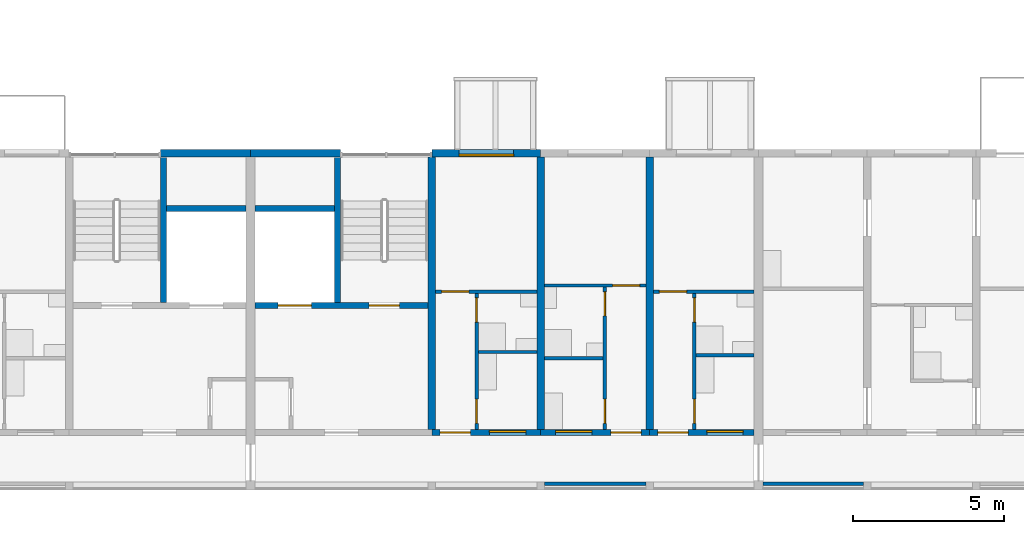
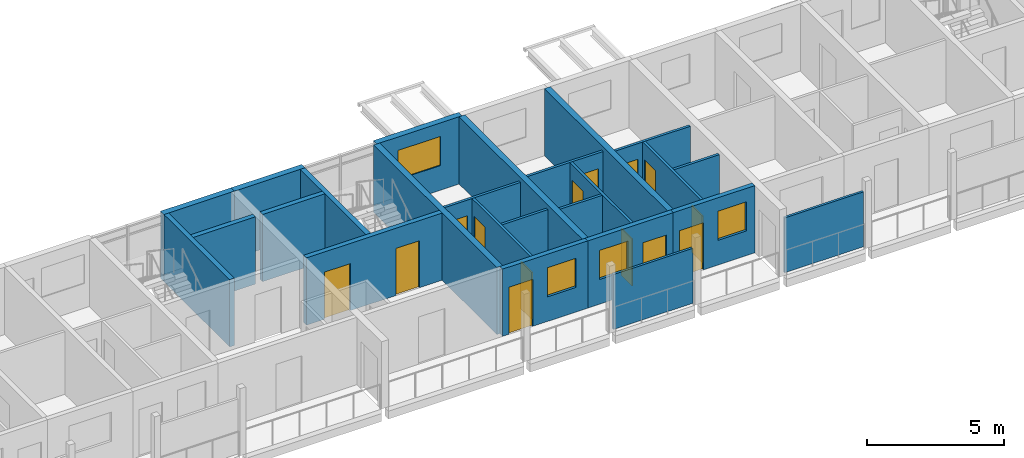
# One storey, part 47 of 98: 25 walls, 14 doors, 4 windows, 18 openings.
"""IFC4 building model written with IfcOpenShell, lengths in metres."""

from ifc_helpers import new_model, si_unit, direction, frame, frame_2d, origin, place, context, subcontext, project, spatial, rectangle, extrude, material, layer, layer_set, type_object, element, fill, save


model = new_model("IFC4")

# Units and contexts
model_context = context("Model", 3, precision=1e-05, world=origin(), true_north=direction((0.0, 1.0)))
body_context = subcontext(model_context, "Body", "Model", "MODEL_VIEW")
ifc_project = project(units=[si_unit("LENGTHUNIT", "METRE"), si_unit("AREAUNIT", "SQUARE_METRE"), si_unit("VOLUMEUNIT", "CUBIC_METRE"), si_unit("PLANEANGLEUNIT", "RADIAN"), si_unit("MASSUNIT", "GRAM", prefix="KILO")], contexts=[model_context])

# Site, building, storey
site_placement = place(None, origin())
site = spatial("IfcSite", under=ifc_project, at=site_placement, CompositionType="ELEMENT")
building_placement = place(site_placement, origin())
building = spatial("IfcBuilding", under=site, at=building_placement, Name="Ridgestep Commons", CompositionType="ELEMENT")
storey_placement = place(building_placement, frame((0.0, 0.0, 12.0)))
storey = spatial("IfcBuildingStorey", under=building, at=storey_placement, Name="L04", CompositionType="ELEMENT", Elevation=12.0)

# Walls
ifc_material_1 = material(Name="Concrete C30/37", Category="concrete")
ifc_layer_1 = layer(ifc_material_1, 0.25)
ifc_layer_set_1 = layer_set([ifc_layer_1], Name="Core cross wall 250")
wall_type_1 = type_object("IfcWallType", Name="Core cross wall 250", PredefinedType="SHEAR", material=ifc_layer_set_1)
wall_1_placement = place(storey_placement, frame((169.60009765625, 13.75, 0.0), z_axis=(0.0, 0.0, 1.0), x_axis=(0.0, 1.0, 0.0)))
element("IfcWall", 1, at=wall_1_placement, inside=storey, type_object=wall_type_1, Name="Cross wall D-04-1696", PredefinedType="SHEAR", context=body_context, shape_type="SweptSolid", body=[
    extrude(rectangle(XDim=9.0, YDim=0.25, at=frame_2d((4.5, 0.0))), origin(), (0.0, 0.0, 1.0), 3.0),
])
ifc_material_2 = material(Name="Concrete C30/37", Category="concrete")
ifc_layer_2 = layer(ifc_material_2, 0.199951171875)
ifc_layer_set_2 = layer_set([ifc_layer_2], Name="Core wall 200")
wall_type_2 = type_object("IfcWallType", Name="Core wall 200", PredefinedType="SHEAR", material=ifc_layer_set_2)
wall_2_placement = place(storey_placement, frame((160.72509765625, 17.949951171875, 0.0), z_axis=(0.0, 0.0, 1.0), x_axis=(0.0, 1.0, 0.0)))
element("IfcWall", 2, at=wall_2_placement, inside=storey, type_object=wall_type_2, Name="Core stair wall D1C L04", PredefinedType="SHEAR", context=body_context, shape_type="SweptSolid", body=[
    extrude(rectangle(XDim=4.800048828125, YDim=0.199951171875, at=frame_2d((2.39990234375, 0.0))), origin(), (0.0, 0.0, 1.0), 3.0),
])
wall_3_placement = place(storey_placement, frame((160.824951171875, 21.050048828125, 0.0), z_axis=(0.0, 0.0, 1.0), x_axis=(1.0, 0.0, 0.0)))
element("IfcWall", 3, at=wall_3_placement, inside=storey, type_object=wall_type_2, Name="Core duct wall D1C L04", PredefinedType="SHEAR", context=body_context, shape_type="SweptSolid", body=[
    extrude(rectangle(XDim=2.625, YDim=0.199951171875, at=frame_2d((1.3125, 0.0))), origin(), (0.0, 0.0, 1.0), 3.0),
])

# Wall, openings, doors
wall_4_placement = place(storey_placement, frame((163.75, 17.85009765625, 0.0), z_axis=(0.0, 0.0, 1.0), x_axis=(1.0, 0.0, 0.0)))
wall_4 = element("IfcWall", 4, at=wall_4_placement, inside=storey, type_object=wall_type_2, Name="Core lobby wall D2C L04", PredefinedType="SHEAR", context=body_context, shape_type="SweptSolid", body=[
    extrude(rectangle(XDim=5.72509765625, YDim=0.199951171875, at=frame_2d((2.862548828125, 0.0))), origin(), (0.0, 0.0, 1.0), 3.0),
])
opening_1_placement = place(wall_4_placement, frame((3.77490234375, 0.0, 0.0)))
opening_1 = element("IfcOpeningElement", 5, at=opening_1_placement, cuts=wall_4, Name="Opening D2C/04/2", PredefinedType="OPENING", context=body_context, shape_type="SweptSolid", body=[
    extrude(rectangle(XDim=1.0, YDim=2.10009765625, at=frame_2d((0.5, 1.050048828125))), frame((0.0, 0.10986328125, 0.0), z_axis=(0.0, -1.0, 0.0), x_axis=(1.0, 0.0, 0.0)), (0.0, 0.0, 1.0), 0.219970703125),
])
opening_2_placement = place(wall_4_placement, frame((0.762451171875, 0.0, 0.0)))
opening_2 = element("IfcOpeningElement", 6, at=opening_2_placement, cuts=wall_4, Name="Opening D2C/04/3", PredefinedType="OPENING", context=body_context, shape_type="SweptSolid", body=[
    extrude(rectangle(XDim=1.10009765625, YDim=2.10009765625, at=frame_2d((0.550048828125, 1.050048828125))), frame((0.0, 0.10986328125, 0.0), z_axis=(0.0, -1.0, 0.0), x_axis=(1.0, 0.0, 0.0)), (0.0, 0.0, 1.0), 0.219970703125),
])
ifc_material_3 = material(Name="Stainless steel", Category="steel")
door_type_1 = type_object("IfcDoorType", Name="Lift landing door 1100 x 2100 FD60", OperationType="DOUBLE_DOOR_SLIDING", PredefinedType="DOOR", material=ifc_material_3)
door_1_placement = place(opening_2_placement, origin())
door_1 = element("IfcDoor", 7, at=door_1_placement, inside=storey, type_object=door_type_1, Name="Landing door LD D2C L04", OperationType="DOUBLE_DOOR_SLIDING", OverallHeight=2.10009765625, OverallWidth=1.10009765625, PredefinedType="DOOR", context=body_context, shape_type="SweptSolid", body=[
    extrude(rectangle(XDim=1.10009765625, YDim=2.10009765625, at=frame_2d((0.550048828125, 1.050048828125))), frame((0.0, 0.02490234375, 0.0), z_axis=(0.0, -1.0, 0.0), x_axis=(1.0, 0.0, 0.0)), (0.0, 0.0, 1.0), 0.050048828125),
])
fill(opening_2, door_1)
ifc_material_4 = material(Name="Steel fire door", Category="steel")
door_type_2 = type_object("IfcDoorType", Name="Stair door 1000 x 2100 FD60", OperationType="NOTDEFINED", PredefinedType="DOOR", material=ifc_material_4)
door_2_placement = place(opening_1_placement, origin())
door_2 = element("IfcDoor", 8, at=door_2_placement, inside=storey, type_object=door_type_2, Name="Stair door D2C/04/2", OperationType="SINGLE_SWING_RIGHT", OverallHeight=2.10009765625, OverallWidth=1.0, PredefinedType="DOOR", context=body_context, shape_type="SweptSolid", body=[
    extrude(rectangle(XDim=1.0, YDim=2.10009765625, at=frame_2d((0.5, 1.050048828125))), frame((0.0, 0.02490234375, 0.0), z_axis=(0.0, -1.0, 0.0), x_axis=(1.0, 0.0, 0.0)), (0.0, 0.0, 1.0), 0.050048828125),
])
fill(opening_1, door_2)

# Walls
wall_5_placement = place(storey_placement, frame((166.47509765625, 17.949951171875, 0.0), z_axis=(0.0, 0.0, 1.0), x_axis=(0.0, 1.0, 0.0)))
element("IfcWall", 9, at=wall_5_placement, inside=storey, type_object=wall_type_2, Name="Core stair wall D2C L04", PredefinedType="SHEAR", context=body_context, shape_type="SweptSolid", body=[
    extrude(rectangle(XDim=4.800048828125, YDim=0.199951171875, at=frame_2d((2.39990234375, 0.0))), origin(), (0.0, 0.0, 1.0), 3.0),
])
wall_6_placement = place(storey_placement, frame((163.75, 21.050048828125, 0.0), z_axis=(0.0, 0.0, 1.0), x_axis=(1.0, 0.0, 0.0)))
element("IfcWall", 10, at=wall_6_placement, inside=storey, type_object=wall_type_2, Name="Core duct wall D2C L04", PredefinedType="SHEAR", context=body_context, shape_type="SweptSolid", body=[
    extrude(rectangle(XDim=2.625, YDim=0.199951171875, at=frame_2d((1.3125, 0.0))), origin(), (0.0, 0.0, 1.0), 3.0),
])
ifc_material_5 = material(Name="Precast concrete C40/50", Category="concrete")
ifc_layer_3 = layer(ifc_material_5, 0.25)
ifc_layer_set_3 = layer_set([ifc_layer_3], Name="Cross wall 250")
wall_type_3 = type_object("IfcWallType", Name="Cross wall 250", PredefinedType="SHEAR", material=ifc_layer_set_3)
for number, where, z_axis, x_axis, name in (
    (11, (173.199951171875, 13.75, 0.0), (0.0, 0.0, 1.0), (0.0, 1.0, 0.0), "Cross wall D-04-1732"),
    (12, (176.800048828125, 13.75, 0.0), (0.0, 0.0, 1.0), (0.0, 1.0, 0.0), "Cross wall D-04-1768"),
):
    element("IfcWall", number, at=place(storey_placement, frame(where, z_axis=z_axis, x_axis=x_axis)), inside=storey, type_object=wall_type_3, Name=name, PredefinedType="SHEAR", context=body_context, shape_type="SweptSolid", body=[
        extrude(rectangle(XDim=9.0, YDim=0.25, at=frame_2d((4.5, 0.0))), origin(), (0.0, 0.0, 1.0), 3.0),
    ])
ifc_material_6 = material(Name="Precast concrete C40/50", Category="concrete")
ifc_layer_4 = layer(ifc_material_6, 0.25)
ifc_layer_set_4 = layer_set([ifc_layer_4], Name="North facade panel 250")
wall_type_4 = type_object("IfcWallType", Name="North facade panel 250", PredefinedType="SOLIDWALL", material=ifc_layer_set_4)
wall_7_placement = place(storey_placement, frame((160.625, 22.875, 0.0), z_axis=(0.0, 0.0, 1.0), x_axis=(1.0, 0.0, 0.0)))
element("IfcWall", 13, at=wall_7_placement, inside=storey, type_object=wall_type_4, Name="North panel D1C L04", PredefinedType="SOLIDWALL", context=body_context, shape_type="SweptSolid", body=[
    extrude(rectangle(XDim=2.97509765625, YDim=0.25, at=frame_2d((1.487548828125, 0.0))), origin(), (0.0, 0.0, 1.0), 3.0),
])
wall_8_placement = place(storey_placement, frame((163.60009765625, 22.875, 0.0), z_axis=(0.0, 0.0, 1.0), x_axis=(1.0, 0.0, 0.0)))
element("IfcWall", 14, at=wall_8_placement, inside=storey, type_object=wall_type_4, Name="North panel D2C L04", PredefinedType="SOLIDWALL", context=body_context, shape_type="SweptSolid", body=[
    extrude(rectangle(XDim=2.974853515625, YDim=0.25, at=frame_2d((1.4873046875, 0.0))), origin(), (0.0, 0.0, 1.0), 3.0),
])

# Wall, opening, window
wall_9_placement = place(storey_placement, frame((169.60009765625, 22.875, 0.0), z_axis=(0.0, 0.0, 1.0), x_axis=(1.0, 0.0, 0.0)))
wall_9 = element("IfcWall", 15, at=wall_9_placement, inside=storey, type_object=wall_type_4, Name="North panel D2T3 L04", PredefinedType="SOLIDWALL", context=body_context, shape_type="SweptSolid", body=[
    extrude(rectangle(XDim=3.599853515625, YDim=0.25, at=frame_2d((1.7998046875, 0.0))), origin(), (0.0, 0.0, 1.0), 3.0),
])
opening_3_placement = place(wall_9_placement, frame((0.89990234375, 0.0, 1.10009765625)))
opening_3 = element("IfcOpeningElement", 16, at=opening_3_placement, cuts=wall_9, Name="Opening W18", PredefinedType="OPENING", context=body_context, shape_type="SweptSolid", body=[
    extrude(rectangle(XDim=1.800048828125, YDim=1.300048828125, at=frame_2d((0.89990234375, 0.64990234375))), frame((0.0, 0.135009765625, 0.0), z_axis=(0.0, -1.0, 0.0), x_axis=(1.0, 0.0, 0.0)), (0.0, 0.0, 1.0), 0.27001953125),
])
ifc_material_7 = material(Name="Aluminium 6063-T6 and glass", Category="aluminium")
window_type_1 = type_object("IfcWindowType", Name="Flat window 1800 x 1300", PartitioningType="DOUBLE_PANEL_VERTICAL", PredefinedType="WINDOW", material=ifc_material_7)
window_1_placement = place(opening_3_placement, origin())
window_1 = element("IfcWindow", 17, at=window_1_placement, inside=storey, type_object=window_type_1, Name="Window D2-04c 2", OverallHeight=1.300048828125, OverallWidth=1.800048828125, PartitioningType="SINGLE_PANEL", PredefinedType="WINDOW", context=body_context, shape_type="SweptSolid", body=[
    extrude(rectangle(XDim=1.800048828125, YDim=1.300048828125, at=frame_2d((0.89990234375, 0.64990234375))), frame((0.0, -0.02490234375, 0.0), z_axis=(0.0, -1.0, 0.0), x_axis=(1.0, 0.0, 0.0)), (0.0, 0.0, 1.0), 0.06005859375),
])
fill(opening_3, window_1)

# Wall, openings, doors
ifc_material_8 = material(Name="Common brick 110 mm", Category="masonry")
ifc_layer_5 = layer(ifc_material_8, 0.110107421875)
ifc_layer_set_5 = layer_set([ifc_layer_5], Name="Partition 110")
wall_type_5 = type_object("IfcWallType", Name="Partition 110", PredefinedType="PARTITIONING", material=ifc_layer_set_5)
wall_10_placement = place(storey_placement, frame((178.280029296875, 13.75, 0.0), z_axis=(0.0, 0.0, 1.0), x_axis=(0.0, 1.0, 0.0)))
wall_10 = element("IfcWall", 18, at=wall_10_placement, inside=storey, type_object=wall_type_5, Name="Partition D2-04a", PredefinedType="PARTITIONING", context=body_context, shape_type="SweptSolid", body=[
    extrude(rectangle(XDim=4.5, YDim=0.110107421875, at=frame_2d((2.25, 0.0))), origin(), (0.0, 0.0, 1.0), 2.800048828125),
])
opening_4_placement = place(wall_10_placement, frame((0.199951171875, 0.0, 0.0)))
opening_4 = element("IfcOpeningElement", 19, at=opening_4_placement, cuts=wall_10, Name="Opening D2-04a/2", PredefinedType="OPENING", context=body_context, shape_type="SweptSolid", body=[
    extrude(rectangle(XDim=0.800048828125, YDim=2.10009765625, at=frame_2d((0.39990234375, 1.050048828125))), frame((0.0, 0.06494140625, 0.0), z_axis=(0.0, -1.0, 0.0), x_axis=(1.0, 0.0, 0.0)), (0.0, 0.0, 1.0), 0.130126953125),
])
opening_5_placement = place(wall_10_placement, frame((3.550048828125, 0.0, 0.0)))
opening_5 = element("IfcOpeningElement", 20, at=opening_5_placement, cuts=wall_10, Name="Opening D2-04a/3", PredefinedType="OPENING", context=body_context, shape_type="SweptSolid", body=[
    extrude(rectangle(XDim=0.800048828125, YDim=2.10009765625, at=frame_2d((0.39990234375, 1.050048828125))), frame((0.0, 0.06494140625, 0.0), z_axis=(0.0, -1.0, 0.0), x_axis=(1.0, 0.0, 0.0)), (0.0, 0.0, 1.0), 0.130126953125),
])
ifc_material_9 = material(Name="Timber door leaf", Category="wood")
door_type_3 = type_object("IfcDoorType", Name="Internal door 800 x 2100", OperationType="NOTDEFINED", PredefinedType="DOOR", material=ifc_material_9)
door_3_placement = place(opening_4_placement, origin())
door_3 = element("IfcDoor", 21, at=door_3_placement, inside=storey, type_object=door_type_3, Name="Internal door D2-04a/2", OperationType="SINGLE_SWING_RIGHT", OverallHeight=2.10009765625, OverallWidth=0.800048828125, PredefinedType="DOOR", context=body_context, shape_type="SweptSolid", body=[
    extrude(rectangle(XDim=0.800048828125, YDim=2.10009765625, at=frame_2d((0.39990234375, 1.050048828125))), frame((0.0, 0.02490234375, 0.0), z_axis=(0.0, -1.0, 0.0), x_axis=(1.0, 0.0, 0.0)), (0.0, 0.0, 1.0), 0.050048828125),
])
fill(opening_4, door_3)
door_4_placement = place(opening_5_placement, origin())
door_4 = element("IfcDoor", 22, at=door_4_placement, inside=storey, type_object=door_type_3, Name="Internal door D2-04a/3", OperationType="SINGLE_SWING_LEFT", OverallHeight=2.10009765625, OverallWidth=0.800048828125, PredefinedType="DOOR", context=body_context, shape_type="SweptSolid", body=[
    extrude(rectangle(XDim=0.800048828125, YDim=2.10009765625, at=frame_2d((0.39990234375, 1.050048828125))), frame((0.0, 0.02490234375, 0.0), z_axis=(0.0, -1.0, 0.0), x_axis=(1.0, 0.0, 0.0)), (0.0, 0.0, 1.0), 0.050048828125),
])
fill(opening_5, door_4)

# Wall
wall_11_placement = place(storey_placement, frame((178.3349609375, 16.205078125, 0.0), z_axis=(0.0, 0.0, 1.0), x_axis=(1.0, 0.0, 0.0)))
element("IfcWall", 23, at=wall_11_placement, inside=storey, type_object=wall_type_5, Name="Partition D2-04a", PredefinedType="PARTITIONING", context=body_context, shape_type="SweptSolid", body=[
    extrude(rectangle(XDim=1.9150390625, YDim=0.110107421875, at=frame_2d((0.95751953125, 0.0))), origin(), (0.0, 0.0, 1.0), 2.800048828125),
])

# Wall, opening, door
wall_12_placement = place(storey_placement, frame((176.925048828125, 18.304931640625, 0.0), z_axis=(0.0, 0.0, 1.0), x_axis=(1.0, 0.0, 0.0)))
wall_12 = element("IfcWall", 24, at=wall_12_placement, inside=storey, type_object=wall_type_5, Name="Partition D2-04a", PredefinedType="PARTITIONING", context=body_context, shape_type="SweptSolid", body=[
    extrude(rectangle(XDim=3.324951171875, YDim=0.110107421875, at=frame_2d((1.66259765625, 0.0))), origin(), (0.0, 0.0, 1.0), 2.800048828125),
])
opening_6_placement = place(wall_12_placement, frame((0.199951171875, 0.0, 0.0)))
opening_6 = element("IfcOpeningElement", 25, at=opening_6_placement, cuts=wall_12, Name="Opening D2-04a/4", PredefinedType="OPENING", context=body_context, shape_type="SweptSolid", body=[
    extrude(rectangle(XDim=0.89990234375, YDim=2.10009765625, at=frame_2d((0.449951171875, 1.050048828125))), frame((0.0, 0.06494140625, 0.0), z_axis=(0.0, -1.0, 0.0), x_axis=(1.0, 0.0, 0.0)), (0.0, 0.0, 1.0), 0.130126953125),
])
ifc_material_10 = material(Name="Timber door leaf", Category="wood")
door_type_4 = type_object("IfcDoorType", Name="Internal door 900 x 2100", OperationType="NOTDEFINED", PredefinedType="DOOR", material=ifc_material_10)
door_5_placement = place(opening_6_placement, origin())
door_5 = element("IfcDoor", 26, at=door_5_placement, inside=storey, type_object=door_type_4, Name="Internal door D2-04a/4", OperationType="SINGLE_SWING_LEFT", OverallHeight=2.10009765625, OverallWidth=0.89990234375, PredefinedType="DOOR", context=body_context, shape_type="SweptSolid", body=[
    extrude(rectangle(XDim=0.89990234375, YDim=2.10009765625, at=frame_2d((0.449951171875, 1.050048828125))), frame((0.0, 0.02490234375, 0.0), z_axis=(0.0, -1.0, 0.0), x_axis=(1.0, 0.0, 0.0)), (0.0, 0.0, 1.0), 0.050048828125),
])
fill(opening_6, door_5)

# Wall
wall_13_placement = place(storey_placement, frame((173.324951171875, 16.10498046875, 0.0), z_axis=(0.0, 0.0, 1.0), x_axis=(1.0, 0.0, 0.0)))
element("IfcWall", 27, at=wall_13_placement, inside=storey, type_object=wall_type_5, Name="Partition D2-04b", PredefinedType="PARTITIONING", context=body_context, shape_type="SweptSolid", body=[
    extrude(rectangle(XDim=1.93994140625, YDim=0.110107421875, at=frame_2d((0.969970703125, 0.0))), origin(), (0.0, 0.0, 1.0), 2.800048828125),
])

# Wall, openings, doors
wall_14_placement = place(storey_placement, frame((175.320068359375, 13.75, 0.0), z_axis=(0.0, 0.0, 1.0), x_axis=(0.0, 1.0, 0.0)))
wall_14 = element("IfcWall", 28, at=wall_14_placement, inside=storey, type_object=wall_type_5, Name="Partition D2-04b", PredefinedType="PARTITIONING", context=body_context, shape_type="SweptSolid", body=[
    extrude(rectangle(XDim=4.699951171875, YDim=0.110107421875, at=frame_2d((2.35009765625, 0.0))), origin(), (0.0, 0.0, 1.0), 2.800048828125),
])
opening_7_placement = place(wall_14_placement, frame((0.199951171875, 0.0, 0.0)))
opening_7 = element("IfcOpeningElement", 29, at=opening_7_placement, cuts=wall_14, Name="Opening D2-04b/2", PredefinedType="OPENING", context=body_context, shape_type="SweptSolid", body=[
    extrude(rectangle(XDim=0.800048828125, YDim=2.10009765625, at=frame_2d((0.39990234375, 1.050048828125))), frame((0.0, 0.06494140625, 0.0), z_axis=(0.0, -1.0, 0.0), x_axis=(1.0, 0.0, 0.0)), (0.0, 0.0, 1.0), 0.130126953125),
])
opening_8_placement = place(wall_14_placement, frame((3.75, 0.0, 0.0)))
opening_8 = element("IfcOpeningElement", 30, at=opening_8_placement, cuts=wall_14, Name="Opening D2-04b/3", PredefinedType="OPENING", context=body_context, shape_type="SweptSolid", body=[
    extrude(rectangle(XDim=0.800048828125, YDim=2.10009765625, at=frame_2d((0.39990234375, 1.050048828125))), frame((0.0, 0.06494140625, 0.0), z_axis=(0.0, -1.0, 0.0), x_axis=(1.0, 0.0, 0.0)), (0.0, 0.0, 1.0), 0.130126953125),
])
door_6_placement = place(opening_7_placement, origin())
door_6 = element("IfcDoor", 31, at=door_6_placement, inside=storey, type_object=door_type_3, Name="Internal door D2-04b/2", OperationType="SINGLE_SWING_LEFT", OverallHeight=2.10009765625, OverallWidth=0.800048828125, PredefinedType="DOOR", context=body_context, shape_type="SweptSolid", body=[
    extrude(rectangle(XDim=0.800048828125, YDim=2.10009765625, at=frame_2d((0.39990234375, 1.050048828125))), frame((0.0, 0.02490234375, 0.0), z_axis=(0.0, -1.0, 0.0), x_axis=(1.0, 0.0, 0.0)), (0.0, 0.0, 1.0), 0.050048828125),
])
fill(opening_7, door_6)
door_7_placement = place(opening_8_placement, origin())
door_7 = element("IfcDoor", 32, at=door_7_placement, inside=storey, type_object=door_type_3, Name="Internal door D2-04b/3", OperationType="SINGLE_SWING_RIGHT", OverallHeight=2.10009765625, OverallWidth=0.800048828125, PredefinedType="DOOR", context=body_context, shape_type="SweptSolid", body=[
    extrude(rectangle(XDim=0.800048828125, YDim=2.10009765625, at=frame_2d((0.39990234375, 1.050048828125))), frame((0.0, 0.02490234375, 0.0), z_axis=(0.0, -1.0, 0.0), x_axis=(1.0, 0.0, 0.0)), (0.0, 0.0, 1.0), 0.050048828125),
])
fill(opening_8, door_7)

# Wall, opening, door
wall_15_placement = place(storey_placement, frame((173.324951171875, 18.5048828125, 0.0), z_axis=(0.0, 0.0, 1.0), x_axis=(1.0, 0.0, 0.0)))
wall_15 = element("IfcWall", 33, at=wall_15_placement, inside=storey, type_object=wall_type_5, Name="Partition D2-04b", PredefinedType="PARTITIONING", context=body_context, shape_type="SweptSolid", body=[
    extrude(rectangle(XDim=3.35009765625, YDim=0.110107421875, at=frame_2d((1.675048828125, 0.0))), origin(), (0.0, 0.0, 1.0), 2.800048828125),
])
opening_9_placement = place(wall_15_placement, frame((2.25, 0.0, 0.0)))
opening_9 = element("IfcOpeningElement", 34, at=opening_9_placement, cuts=wall_15, Name="Opening D2-04b/4", PredefinedType="OPENING", context=body_context, shape_type="SweptSolid", body=[
    extrude(rectangle(XDim=0.89990234375, YDim=2.10009765625, at=frame_2d((0.449951171875, 1.050048828125))), frame((0.0, 0.06494140625, 0.0), z_axis=(0.0, -1.0, 0.0), x_axis=(1.0, 0.0, 0.0)), (0.0, 0.0, 1.0), 0.130126953125),
])
door_8_placement = place(opening_9_placement, origin())
door_8 = element("IfcDoor", 35, at=door_8_placement, inside=storey, type_object=door_type_4, Name="Internal door D2-04b/4", OperationType="SINGLE_SWING_LEFT", OverallHeight=2.10009765625, OverallWidth=0.89990234375, PredefinedType="DOOR", context=body_context, shape_type="SweptSolid", body=[
    extrude(rectangle(XDim=0.89990234375, YDim=2.10009765625, at=frame_2d((0.449951171875, 1.050048828125))), frame((0.0, 0.02490234375, 0.0), z_axis=(0.0, -1.0, 0.0), x_axis=(1.0, 0.0, 0.0)), (0.0, 0.0, 1.0), 0.050048828125),
])
fill(opening_9, door_8)

# Wall, openings, doors
wall_16_placement = place(storey_placement, frame((171.080078125, 13.75, 0.0), z_axis=(0.0, 0.0, 1.0), x_axis=(0.0, 1.0, 0.0)))
wall_16 = element("IfcWall", 36, at=wall_16_placement, inside=storey, type_object=wall_type_5, Name="Partition D2-04c", PredefinedType="PARTITIONING", context=body_context, shape_type="SweptSolid", body=[
    extrude(rectangle(XDim=4.5, YDim=0.110107421875, at=frame_2d((2.25, 0.0))), origin(), (0.0, 0.0, 1.0), 2.800048828125),
])
opening_10_placement = place(wall_16_placement, frame((0.199951171875, 0.0, 0.0)))
opening_10 = element("IfcOpeningElement", 37, at=opening_10_placement, cuts=wall_16, Name="Opening D2-04c/2", PredefinedType="OPENING", context=body_context, shape_type="SweptSolid", body=[
    extrude(rectangle(XDim=0.800048828125, YDim=2.10009765625, at=frame_2d((0.39990234375, 1.050048828125))), frame((0.0, 0.06494140625, 0.0), z_axis=(0.0, -1.0, 0.0), x_axis=(1.0, 0.0, 0.0)), (0.0, 0.0, 1.0), 0.130126953125),
])
opening_11_placement = place(wall_16_placement, frame((3.550048828125, 0.0, 0.0)))
opening_11 = element("IfcOpeningElement", 38, at=opening_11_placement, cuts=wall_16, Name="Opening D2-04c/3", PredefinedType="OPENING", context=body_context, shape_type="SweptSolid", body=[
    extrude(rectangle(XDim=0.800048828125, YDim=2.10009765625, at=frame_2d((0.39990234375, 1.050048828125))), frame((0.0, 0.06494140625, 0.0), z_axis=(0.0, -1.0, 0.0), x_axis=(1.0, 0.0, 0.0)), (0.0, 0.0, 1.0), 0.130126953125),
])
door_9_placement = place(opening_10_placement, origin())
door_9 = element("IfcDoor", 39, at=door_9_placement, inside=storey, type_object=door_type_3, Name="Internal door D2-04c/2", OperationType="SINGLE_SWING_RIGHT", OverallHeight=2.10009765625, OverallWidth=0.800048828125, PredefinedType="DOOR", context=body_context, shape_type="SweptSolid", body=[
    extrude(rectangle(XDim=0.800048828125, YDim=2.10009765625, at=frame_2d((0.39990234375, 1.050048828125))), frame((0.0, 0.02490234375, 0.0), z_axis=(0.0, -1.0, 0.0), x_axis=(1.0, 0.0, 0.0)), (0.0, 0.0, 1.0), 0.050048828125),
])
fill(opening_10, door_9)
door_10_placement = place(opening_11_placement, origin())
door_10 = element("IfcDoor", 40, at=door_10_placement, inside=storey, type_object=door_type_3, Name="Internal door D2-04c/3", OperationType="SINGLE_SWING_LEFT", OverallHeight=2.10009765625, OverallWidth=0.800048828125, PredefinedType="DOOR", context=body_context, shape_type="SweptSolid", body=[
    extrude(rectangle(XDim=0.800048828125, YDim=2.10009765625, at=frame_2d((0.39990234375, 1.050048828125))), frame((0.0, 0.02490234375, 0.0), z_axis=(0.0, -1.0, 0.0), x_axis=(1.0, 0.0, 0.0)), (0.0, 0.0, 1.0), 0.050048828125),
])
fill(opening_11, door_10)

# Wall
wall_17_placement = place(storey_placement, frame((171.135009765625, 16.304931640625, 0.0), z_axis=(0.0, 0.0, 1.0), x_axis=(1.0, 0.0, 0.0)))
element("IfcWall", 41, at=wall_17_placement, inside=storey, type_object=wall_type_5, Name="Partition D2-04c", PredefinedType="PARTITIONING", context=body_context, shape_type="SweptSolid", body=[
    extrude(rectangle(XDim=1.93994140625, YDim=0.110107421875, at=frame_2d((0.969970703125, 0.0))), origin(), (0.0, 0.0, 1.0), 2.800048828125),
])

# Wall, opening, door
wall_18_placement = place(storey_placement, frame((169.72509765625, 18.304931640625, 0.0), z_axis=(0.0, 0.0, 1.0), x_axis=(1.0, 0.0, 0.0)))
wall_18 = element("IfcWall", 42, at=wall_18_placement, inside=storey, type_object=wall_type_5, Name="Partition D2-04c", PredefinedType="PARTITIONING", context=body_context, shape_type="SweptSolid", body=[
    extrude(rectangle(XDim=3.349853515625, YDim=0.110107421875, at=frame_2d((1.6748046875, 0.0))), origin(), (0.0, 0.0, 1.0), 2.800048828125),
])
opening_12_placement = place(wall_18_placement, frame((0.199951171875, 0.0, 0.0)))
opening_12 = element("IfcOpeningElement", 43, at=opening_12_placement, cuts=wall_18, Name="Opening D2-04c/4", PredefinedType="OPENING", context=body_context, shape_type="SweptSolid", body=[
    extrude(rectangle(XDim=0.89990234375, YDim=2.10009765625, at=frame_2d((0.449951171875, 1.050048828125))), frame((0.0, 0.06494140625, 0.0), z_axis=(0.0, -1.0, 0.0), x_axis=(1.0, 0.0, 0.0)), (0.0, 0.0, 1.0), 0.130126953125),
])
door_11_placement = place(opening_12_placement, origin())
door_11 = element("IfcDoor", 44, at=door_11_placement, inside=storey, type_object=door_type_4, Name="Internal door D2-04c/4", OperationType="SINGLE_SWING_LEFT", OverallHeight=2.10009765625, OverallWidth=0.89990234375, PredefinedType="DOOR", context=body_context, shape_type="SweptSolid", body=[
    extrude(rectangle(XDim=0.89990234375, YDim=2.10009765625, at=frame_2d((0.449951171875, 1.050048828125))), frame((0.0, 0.02490234375, 0.0), z_axis=(0.0, -1.0, 0.0), x_axis=(1.0, 0.0, 0.0)), (0.0, 0.0, 1.0), 0.050048828125),
])
fill(opening_12, door_11)

# Walls
ifc_material_11 = material(Name="Precast concrete C30/37", Category="concrete")
ifc_layer_6 = layer(ifc_material_11, 0.10009765625)
ifc_layer_set_6 = layer_set([ifc_layer_6], Name="Perforated gallery screen 3325 x 2450 x 100")
wall_type_6 = type_object("IfcWallType", Name="Perforated gallery screen 3325 x 2450 x 100", PredefinedType="SOLIDWALL", material=ifc_layer_set_6)
wall_19_placement = place(storey_placement, frame((180.550048828125, 11.949951171875, 0.0), z_axis=(0.0, 0.0, 1.0), x_axis=(1.0, 0.0, 0.0)))
element("IfcWall", 45, at=wall_19_placement, inside=storey, type_object=wall_type_6, Name="Gallery screen D3T1 04", PredefinedType="SOLIDWALL", context=body_context, shape_type="SweptSolid", body=[
    extrude(rectangle(XDim=3.324951171875, YDim=0.10009765625, at=frame_2d((1.66259765625, 0.0))), origin(), (0.0, 0.0, 1.0), 2.449951171875),
])
ifc_material_12 = material(Name="Precast concrete C30/37", Category="concrete")
ifc_layer_7 = layer(ifc_material_12, 0.10009765625)
ifc_layer_set_7 = layer_set([ifc_layer_7], Name="Perforated gallery screen 3350 x 2450 x 100")
wall_type_7 = type_object("IfcWallType", Name="Perforated gallery screen 3350 x 2450 x 100", PredefinedType="SOLIDWALL", material=ifc_layer_set_7)
wall_20_placement = place(storey_placement, frame((173.324951171875, 11.949951171875, 0.0), z_axis=(0.0, 0.0, 1.0), x_axis=(1.0, 0.0, 0.0)))
element("IfcWall", 46, at=wall_20_placement, inside=storey, type_object=wall_type_7, Name="Gallery screen D2T2 04", PredefinedType="SOLIDWALL", context=body_context, shape_type="SweptSolid", body=[
    extrude(rectangle(XDim=3.35009765625, YDim=0.10009765625, at=frame_2d((1.675048828125, 0.0))), origin(), (0.0, 0.0, 1.0), 2.449951171875),
])

# Wall, openings, door, window
ifc_material_13 = material(Name="Precast concrete C40/50", Category="concrete")
ifc_layer_8 = layer(ifc_material_13, 0.199951171875)
ifc_layer_set_8 = layer_set([ifc_layer_8], Name="South facade panel 200")
wall_type_8 = type_object("IfcWallType", Name="South facade panel 200", PredefinedType="SOLIDWALL", material=ifc_layer_set_8)
wall_21_placement = place(storey_placement, frame((169.60009765625, 13.64990234375, 0.0), z_axis=(0.0, 0.0, 1.0), x_axis=(1.0, 0.0, 0.0)))
wall_21 = element("IfcWall", 47, at=wall_21_placement, inside=storey, type_object=wall_type_8, Name="South panel D2T3 L04", PredefinedType="SOLIDWALL", context=body_context, shape_type="SweptSolid", body=[
    extrude(rectangle(XDim=3.599853515625, YDim=0.199951171875, at=frame_2d((1.7998046875, 0.0))), origin(), (0.0, 0.0, 1.0), 3.0),
])
opening_13_placement = place(wall_21_placement, frame((1.905029296875, 0.0, 1.10009765625)))
opening_13 = element("IfcOpeningElement", 48, at=opening_13_placement, cuts=wall_21, Name="Opening W08", PredefinedType="OPENING", context=body_context, shape_type="SweptSolid", body=[
    extrude(rectangle(XDim=1.199951171875, YDim=1.300048828125, at=frame_2d((0.60009765625, 0.64990234375))), frame((0.0, 0.10986328125, 0.0), z_axis=(0.0, -1.0, 0.0), x_axis=(1.0, 0.0, 0.0)), (0.0, 0.0, 1.0), 0.219970703125),
])
opening_14_placement = place(wall_21_placement, frame((0.27490234375, 0.0, 0.0)))
opening_14 = element("IfcOpeningElement", 49, at=opening_14_placement, cuts=wall_21, Name="Opening D2-04c/1", PredefinedType="OPENING", context=body_context, shape_type="SweptSolid", body=[
    extrude(rectangle(XDim=1.0, YDim=2.10009765625, at=frame_2d((0.5, 1.050048828125))), frame((0.0, 0.10986328125, 0.0), z_axis=(0.0, -1.0, 0.0), x_axis=(1.0, 0.0, 0.0)), (0.0, 0.0, 1.0), 0.219970703125),
])
ifc_material_14 = material(Name="Timber door leaf", Category="wood")
door_type_5 = type_object("IfcDoorType", Name="Flat entrance door 1000 x 2100 FD30S", OperationType="NOTDEFINED", PredefinedType="DOOR", material=ifc_material_14)
door_12_placement = place(opening_14_placement, origin())
door_12 = element("IfcDoor", 50, at=door_12_placement, inside=storey, type_object=door_type_5, Name="Flat entrance door D2-04c/1", OperationType="SINGLE_SWING_LEFT", OverallHeight=2.10009765625, OverallWidth=1.0, PredefinedType="DOOR", context=body_context, shape_type="SweptSolid", body=[
    extrude(rectangle(XDim=1.0, YDim=2.10009765625, at=frame_2d((0.5, 1.050048828125))), frame((0.0, 0.02490234375, 0.0), z_axis=(0.0, -1.0, 0.0), x_axis=(1.0, 0.0, 0.0)), (0.0, 0.0, 1.0), 0.050048828125),
])
fill(opening_14, door_12)
ifc_material_15 = material(Name="Aluminium 6063-T6 and glass", Category="aluminium")
window_type_2 = type_object("IfcWindowType", Name="Flat window 1200 x 1300", PartitioningType="SINGLE_PANEL", PredefinedType="WINDOW", material=ifc_material_15)
window_2_placement = place(opening_13_placement, origin())
window_2 = element("IfcWindow", 51, at=window_2_placement, inside=storey, type_object=window_type_2, Name="Window D2-04c 1", OverallHeight=1.300048828125, OverallWidth=1.199951171875, PartitioningType="SINGLE_PANEL", PredefinedType="WINDOW", context=body_context, shape_type="SweptSolid", body=[
    extrude(rectangle(XDim=1.199951171875, YDim=1.300048828125, at=frame_2d((0.60009765625, 0.64990234375))), frame((0.0, 0.06005859375, 0.0), z_axis=(0.0, -1.0, 0.0), x_axis=(1.0, 0.0, 0.0)), (0.0, 0.0, 1.0), 0.06005859375),
])
fill(opening_13, window_2)

wall_22_placement = place(storey_placement, frame((173.199951171875, 13.64990234375, 0.0), z_axis=(0.0, 0.0, 1.0), x_axis=(1.0, 0.0, 0.0)))
wall_22 = element("IfcWall", 52, at=wall_22_placement, inside=storey, type_object=wall_type_8, Name="South panel D2T2 L04", PredefinedType="SOLIDWALL", context=body_context, shape_type="SweptSolid", body=[
    extrude(rectangle(XDim=3.60009765625, YDim=0.199951171875, at=frame_2d((1.800048828125, 0.0))), origin(), (0.0, 0.0, 1.0), 3.0),
])
opening_15_placement = place(wall_22_placement, frame((0.4951171875, 0.0, 1.10009765625)))
opening_15 = element("IfcOpeningElement", 53, at=opening_15_placement, cuts=wall_22, Name="Opening W08", PredefinedType="OPENING", context=body_context, shape_type="SweptSolid", body=[
    extrude(rectangle(XDim=1.199951171875, YDim=1.300048828125, at=frame_2d((0.60009765625, 0.64990234375))), frame((0.0, 0.10986328125, 0.0), z_axis=(0.0, -1.0, 0.0), x_axis=(1.0, 0.0, 0.0)), (0.0, 0.0, 1.0), 0.219970703125),
])
opening_16_placement = place(wall_22_placement, frame((2.324951171875, 0.0, 0.0)))
opening_16 = element("IfcOpeningElement", 54, at=opening_16_placement, cuts=wall_22, Name="Opening D2-04b/1", PredefinedType="OPENING", context=body_context, shape_type="SweptSolid", body=[
    extrude(rectangle(XDim=1.0, YDim=2.10009765625, at=frame_2d((0.5, 1.050048828125))), frame((0.0, 0.10986328125, 0.0), z_axis=(0.0, -1.0, 0.0), x_axis=(1.0, 0.0, 0.0)), (0.0, 0.0, 1.0), 0.219970703125),
])
door_13_placement = place(opening_16_placement, origin())
door_13 = element("IfcDoor", 55, at=door_13_placement, inside=storey, type_object=door_type_5, Name="Flat entrance door D2-04b/1", OperationType="SINGLE_SWING_RIGHT", OverallHeight=2.10009765625, OverallWidth=1.0, PredefinedType="DOOR", context=body_context, shape_type="SweptSolid", body=[
    extrude(rectangle(XDim=1.0, YDim=2.10009765625, at=frame_2d((0.5, 1.050048828125))), frame((0.0, 0.02490234375, 0.0), z_axis=(0.0, -1.0, 0.0), x_axis=(1.0, 0.0, 0.0)), (0.0, 0.0, 1.0), 0.050048828125),
])
fill(opening_16, door_13)
window_3_placement = place(opening_15_placement, origin())
window_3 = element("IfcWindow", 56, at=window_3_placement, inside=storey, type_object=window_type_2, Name="Window D2-04b 1", OverallHeight=1.300048828125, OverallWidth=1.199951171875, PartitioningType="SINGLE_PANEL", PredefinedType="WINDOW", context=body_context, shape_type="SweptSolid", body=[
    extrude(rectangle(XDim=1.199951171875, YDim=1.300048828125, at=frame_2d((0.60009765625, 0.64990234375))), frame((0.0, 0.06005859375, 0.0), z_axis=(0.0, -1.0, 0.0), x_axis=(1.0, 0.0, 0.0)), (0.0, 0.0, 1.0), 0.06005859375),
])
fill(opening_15, window_3)

wall_23_placement = place(storey_placement, frame((176.800048828125, 13.64990234375, 0.0), z_axis=(0.0, 0.0, 1.0), x_axis=(1.0, 0.0, 0.0)))
wall_23 = element("IfcWall", 57, at=wall_23_placement, inside=storey, type_object=wall_type_8, Name="South panel D2T1 L04", PredefinedType="SOLIDWALL", context=body_context, shape_type="SweptSolid", body=[
    extrude(rectangle(XDim=3.449951171875, YDim=0.199951171875, at=frame_2d((1.72509765625, 0.0))), origin(), (0.0, 0.0, 1.0), 3.0),
])
opening_17_placement = place(wall_23_placement, frame((1.892578125, 0.0, 1.10009765625)))
opening_17 = element("IfcOpeningElement", 58, at=opening_17_placement, cuts=wall_23, Name="Opening W08", PredefinedType="OPENING", context=body_context, shape_type="SweptSolid", body=[
    extrude(rectangle(XDim=1.199951171875, YDim=1.300048828125, at=frame_2d((0.60009765625, 0.64990234375))), frame((0.0, 0.10986328125, 0.0), z_axis=(0.0, -1.0, 0.0), x_axis=(1.0, 0.0, 0.0)), (0.0, 0.0, 1.0), 0.219970703125),
])
opening_18_placement = place(wall_23_placement, frame((0.27490234375, 0.0, 0.0)))
opening_18 = element("IfcOpeningElement", 59, at=opening_18_placement, cuts=wall_23, Name="Opening D2-04a/1", PredefinedType="OPENING", context=body_context, shape_type="SweptSolid", body=[
    extrude(rectangle(XDim=1.0, YDim=2.10009765625, at=frame_2d((0.5, 1.050048828125))), frame((0.0, 0.10986328125, 0.0), z_axis=(0.0, -1.0, 0.0), x_axis=(1.0, 0.0, 0.0)), (0.0, 0.0, 1.0), 0.219970703125),
])
door_14_placement = place(opening_18_placement, origin())
door_14 = element("IfcDoor", 60, at=door_14_placement, inside=storey, type_object=door_type_5, Name="Flat entrance door D2-04a/1", OperationType="SINGLE_SWING_LEFT", OverallHeight=2.10009765625, OverallWidth=1.0, PredefinedType="DOOR", context=body_context, shape_type="SweptSolid", body=[
    extrude(rectangle(XDim=1.0, YDim=2.10009765625, at=frame_2d((0.5, 1.050048828125))), frame((0.0, 0.02490234375, 0.0), z_axis=(0.0, -1.0, 0.0), x_axis=(1.0, 0.0, 0.0)), (0.0, 0.0, 1.0), 0.050048828125),
])
fill(opening_18, door_14)
window_4_placement = place(opening_17_placement, origin())
window_4 = element("IfcWindow", 61, at=window_4_placement, inside=storey, type_object=window_type_2, Name="Window D2-04a 1", OverallHeight=1.300048828125, OverallWidth=1.199951171875, PartitioningType="SINGLE_PANEL", PredefinedType="WINDOW", context=body_context, shape_type="SweptSolid", body=[
    extrude(rectangle(XDim=1.199951171875, YDim=1.300048828125, at=frame_2d((0.60009765625, 0.64990234375))), frame((0.0, 0.06005859375, 0.0), z_axis=(0.0, -1.0, 0.0), x_axis=(1.0, 0.0, 0.0)), (0.0, 0.0, 1.0), 0.06005859375),
])
fill(opening_17, window_4)

save(model, "model.ifc")
